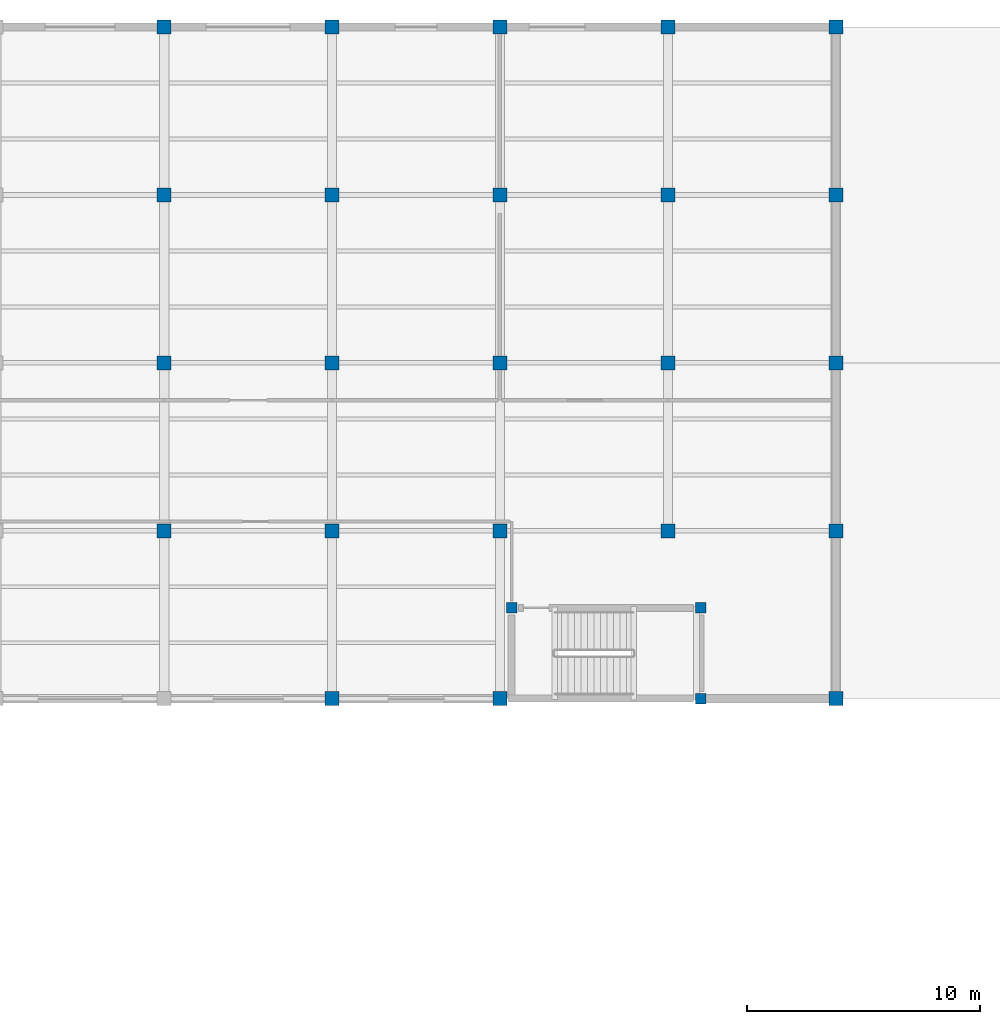
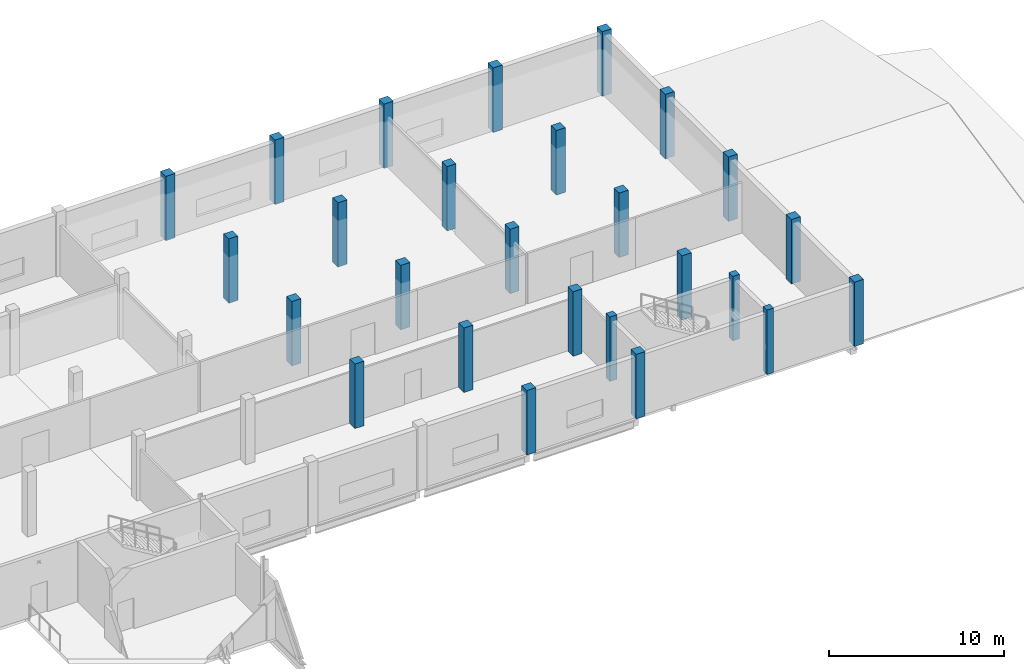
# One storey, part 4 of 76: 26 columns.
"""IFC4 building model written with IfcOpenShell, lengths in metres."""

import ifcopenshell
import ifcopenshell.guid

model = None  # the IFC model being written
_history = None  # IfcOwnerHistory: only IFC2X3 demands one
_inside = {}  # id of a spatial element -> (the spatial element, [elements in it])
_under = {}  # id of a project, library or spatial element -> (it, [spatial elements below it])
_declared = {}  # id of a project -> (the project, [libraries it declares])
_typed = {}  # id of a type object -> (the type object, [elements of that type])
_made_of = {}  # id of a material, layer set ... -> (it, [elements and type objects made of it])


def new_model(schema):
    """Start an empty IFC model of exactly this schema.

    Asked for "IFC4X3", IfcOpenShell would pick the latest addendum, in which some entities
    have other attributes; the version numbers below select the first issue.
    IFC2X3 requires an IfcOwnerHistory on every rooted entity: one is made here for all.
    """
    global model, _history
    if schema == "IFC4X3":
        model = ifcopenshell.file(schema_version=(4, 3, 0, 0))
    else:
        model = ifcopenshell.file(schema=schema)
    _inside.clear()
    _under.clear()
    _declared.clear()
    _typed.clear()
    _made_of.clear()
    _history = None
    if model.schema == "IFC2X3":
        org = make("IfcOrganization", Name="unknown")
        user = make(
            "IfcPersonAndOrganization",
            ThePerson=make("IfcPerson", FamilyName="unknown"),
            TheOrganization=org,
        )
        app = make(
            "IfcApplication",
            ApplicationDeveloper=org,
            Version="unknown",
            ApplicationFullName="unknown",
            ApplicationIdentifier="unknown",
        )
        _history = make(
            "IfcOwnerHistory",
            OwningUser=user,
            OwningApplication=app,
            ChangeAction="ADDED",
            CreationDate=0,
        )
    return model


def make(cls, **values):
    """One entity of the class cls with the attributes given. An attribute that is None is left unset."""
    return model.create_entity(
        cls, **{name: value for name, value in values.items() if value is not None}
    )


def rooted(cls, **values):
    """An entity with a GlobalId (a new one), such as an element, a storey or a relation."""
    return make(cls, GlobalId=ifcopenshell.guid.new(), OwnerHistory=_history, **values)


def si_unit(unit_type, name, prefix=None):
    """IfcSIUnit, for example si_unit("LENGTHUNIT", "METRE", prefix="MILLI")."""
    return make("IfcSIUnit", UnitType=unit_type, Prefix=prefix, Name=name)


def assignment(units):
    """IfcUnitAssignment: the units of a project."""
    return None if units is None else make("IfcUnitAssignment", Units=units)


def point(xyz):
    """IfcCartesianPoint."""
    return None if xyz is None else make("IfcCartesianPoint", Coordinates=xyz)


def direction(xyz):
    """IfcDirection."""
    return None if xyz is None else make("IfcDirection", DirectionRatios=xyz)


def frame(location, z_axis=None, x_axis=None):
    """IfcAxis2Placement3D, a coordinate frame: its origin and axes. An axis left out is left unset."""
    return make(
        "IfcAxis2Placement3D",
        Location=point(location),
        Axis=direction(z_axis),
        RefDirection=direction(x_axis),
    )


def frame_2d(location, x_axis=None):
    """IfcAxis2Placement2D, a coordinate frame in the plane: its origin and x axis."""
    return make(
        "IfcAxis2Placement2D", Location=point(location), RefDirection=direction(x_axis)
    )


def origin():
    """The frame at (0, 0, 0) with its axes left unset."""
    return frame((0.0, 0.0, 0.0))


def origin_2d():
    """The frame at (0, 0) in the plane with its x axis left unset."""
    return frame_2d((0.0, 0.0))


def place(relative_to, where):
    """IfcLocalPlacement: puts the frame where relative to a parent placement (None: the world)."""
    return make(
        "IfcLocalPlacement", PlacementRelTo=relative_to, RelativePlacement=where
    )


def context(
    kind, dimensions, precision=None, world=None, true_north=None, identifier=None
):
    """IfcGeometricRepresentationContext, for example the 3D "Model" context."""
    return make(
        "IfcGeometricRepresentationContext",
        ContextIdentifier=identifier,
        ContextType=kind,
        CoordinateSpaceDimension=dimensions,
        Precision=precision,
        WorldCoordinateSystem=world,
        TrueNorth=true_north,
    )


def subcontext(parent, identifier, kind, view, scale=None):
    """IfcGeometricRepresentationSubContext, for example "Body" below "Model"."""
    return make(
        "IfcGeometricRepresentationSubContext",
        ContextIdentifier=identifier,
        ContextType=kind,
        ParentContext=parent,
        TargetScale=scale,
        TargetView=view,
    )


def project(units=None, contexts=None):
    """IfcProject with its units and contexts."""
    return rooted(
        "IfcProject",
        Name="project",
        RepresentationContexts=contexts,
        UnitsInContext=assignment(units),
    )


def spatial(cls, under=None, at=None, **own):
    """A site, building, storey or space (cls), placed at a placement, below another one or the project."""
    s = rooted(cls, ObjectPlacement=at, **own)
    if under is not None:
        _under.setdefault(under.id(), (under, []))[1].append(s)
    return s


def profile(cls, at=None, kind="AREA", **sizes):
    """A parametric profile (cls). Its sizes go by their IFC names, for example OverallWidth=200.0."""
    return make(cls, ProfileType=kind, Position=at, **sizes)


def rectangle(**sizes):
    """IfcRectangleProfileDef."""
    return profile("IfcRectangleProfileDef", **sizes)


def extrude(swept, where, along, depth):
    """IfcExtrudedAreaSolid: the profile swept, set in the frame where, extruded along a direction by depth."""
    return make(
        "IfcExtrudedAreaSolid",
        SweptArea=swept,
        Position=where,
        ExtrudedDirection=direction(along),
        Depth=depth,
    )


def shape(context_of_items, identifier, shape_type, items):
    """IfcShapeRepresentation: the items that make up one representation, for example the "Body"."""
    return make(
        "IfcShapeRepresentation",
        ContextOfItems=context_of_items,
        RepresentationIdentifier=identifier,
        RepresentationType=shape_type,
        Items=items,
    )


def material(Name=None, Category=None):
    """IfcMaterial."""
    return make("IfcMaterial", Name=Name, Category=Category)


def material_profile(
    of_material, cross_section, Name=None, Category=None, Priority=None
):
    """IfcMaterialProfile: a cross section and its material."""
    return make(
        "IfcMaterialProfile",
        Name=Name,
        Material=of_material,
        Profile=cross_section,
        Priority=Priority,
        Category=Category,
    )


def profile_set(profiles, Name=None, composite=None):
    """IfcMaterialProfileSet."""
    return make(
        "IfcMaterialProfileSet",
        Name=Name,
        MaterialProfiles=profiles,
        CompositeProfile=composite,
    )


def made_of(thing, what):
    """Note that an element or type object is made of a material, layer set ...; save() writes the relation."""
    if what is not None:
        _made_of.setdefault(what.id(), (what, []))[1].append(thing)
    return thing


def type_object(cls, material=None, **own):
    """A type object (cls), such as IfcWallType, which elements share."""
    return made_of(rooted(cls, **own), material)


def element(
    cls,
    number,
    at=None,
    inside=None,
    cuts=None,
    type_object=None,
    material=None,
    context=None,
    identifier="Body",
    shape_type=None,
    held_by="IfcProductDefinitionShape",
    body=None,
    shapes=None,
    **own,
):
    """One element of the class cls, such as IfcWall. Its Tag is "e" and its number.

    at: its placement. inside: the storey or other place that contains it. cuts: it is an
    opening in that element (IfcRelVoidsElement). A single representation is given by context,
    identifier, shape_type and body (its items); several are given by shapes. held_by: the class
    of the entity that holds the representations. save() writes the other relations.
    """
    e = rooted(cls, Tag="e%d" % number, ObjectPlacement=at, **own)
    if body is not None:
        shapes = [shape(context, identifier, shape_type, body)]
    if shapes is not None:
        e.Representation = make(held_by, Representations=shapes)
    if inside is not None:
        _inside.setdefault(inside.id(), (inside, []))[1].append(e)
    if cuts is not None:
        rooted(
            "IfcRelVoidsElement", RelatingBuildingElement=cuts, RelatedOpeningElement=e
        )
    if type_object is not None:
        _typed.setdefault(type_object.id(), (type_object, []))[1].append(e)
    return made_of(e, material)


def aggregate(whole, parts):
    """IfcRelAggregates: a whole, such as a stair, and the parts it consists of."""
    return rooted("IfcRelAggregates", RelatingObject=whole, RelatedObjects=parts)


def save(model, path):
    """Write the relations noted so far, then the file.

    IfcRelAggregates (storeys below a building ...), IfcRelContainedInSpatialStructure (elements
    in a storey), IfcRelDefinesByType, IfcRelAssociatesMaterial and IfcRelDeclares: one each for
    every whole, place, type object, material and project.
    """
    for whole, parts in _under.values():
        aggregate(whole, parts)
    for where, things in _inside.values():
        rooted(
            "IfcRelContainedInSpatialStructure",
            RelatedElements=things,
            RelatingStructure=where,
        )
    for kind, things in _typed.values():
        rooted("IfcRelDefinesByType", RelatedObjects=things, RelatingType=kind)
    for what, things in _made_of.values():
        rooted("IfcRelAssociatesMaterial", RelatedObjects=things, RelatingMaterial=what)
    for by, libraries in _declared.values():
        rooted("IfcRelDeclares", RelatingContext=by, RelatedDefinitions=libraries)
    model.write(path)


model = new_model("IFC4")

# Units and contexts
model_context = context("Model", 3, precision=1e-05, world=origin(), true_north=direction((0.0, 1.0)))
body_context = subcontext(model_context, "Body", "Model", "MODEL_VIEW")
ifc_project = project(units=[si_unit("LENGTHUNIT", "METRE"), si_unit("AREAUNIT", "SQUARE_METRE"), si_unit("VOLUMEUNIT", "CUBIC_METRE"), si_unit("PLANEANGLEUNIT", "RADIAN"), si_unit("MASSUNIT", "GRAM", prefix="KILO"), si_unit("THERMODYNAMICTEMPERATUREUNIT", "KELVIN"), si_unit("POWERUNIT", "WATT")], contexts=[model_context])

# Site, building, storey
site_placement = place(None, origin())
site = spatial("IfcSite", under=ifc_project, at=site_placement, CompositionType="ELEMENT")
building_placement = place(site_placement, origin())
building = spatial("IfcBuilding", under=site, at=building_placement, Name="Kaldorven Railside Theatre", CompositionType="ELEMENT")
storey_placement = place(building_placement, frame((0.0, 0.0, 14.39990234375)))
storey = spatial("IfcBuildingStorey", under=building, at=storey_placement, Name="L03", CompositionType="ELEMENT", Elevation=14.39990234375)

# Columns
ifc_material = material(Name="Concrete C40/50", Category="concrete")
ifc_material_profile_1 = material_profile(ifc_material, rectangle(XDim=0.449951171875, YDim=0.449951171875, at=origin_2d()), Name="RC 450x450")
ifc_profile_set_1 = profile_set([ifc_material_profile_1], Name="Concrete C40/50")
column_type_1 = type_object("IfcColumnType", Name="COL-RC450", PredefinedType="COLUMN", material=ifc_profile_set_1)
for number, where, z_axis, x_axis, name in (
    (1, (160.60009765625, 112.800048828125, 0.0), (0.0, 0.0, 1.0), (1.0, 0.0, 0.0), "Core ST-08 L03 Boundary Column CCR-043"),
    (2, (160.60009765625, 116.699951171875, 0.0), (0.0, 0.0, 1.0), (1.0, 0.0, 0.0), "Core ST-08 L03 Boundary Column CCR-048"),
    (3, (152.5, 116.699951171875, 0.0), (0.0, 0.0, 1.0), (1.0, 0.0, 0.0), "Core ST-08 L03 Boundary Column CCR-053"),
):
    element("IfcColumn", number, at=place(storey_placement, frame(where, z_axis=z_axis, x_axis=x_axis)), inside=storey, type_object=column_type_1, Name=name, PredefinedType="COLUMN", context=body_context, shape_type="SweptSolid", body=[
        extrude(rectangle(XDim=0.449951171875, YDim=0.449951171875, at=origin_2d()), origin(), (0.0, 0.0, 1.0), 4.5),
    ])
ifc_material_profile_2 = material_profile(ifc_material, rectangle(XDim=0.60009765625, YDim=0.60009765625, at=origin_2d()), Name="RC 600x600")
ifc_profile_set_2 = profile_set([ifc_material_profile_2], Name="Concrete C40/50")
column_type_2 = type_object("IfcColumnType", Name="COL-RC600", PredefinedType="COLUMN", material=ifc_profile_set_2)
for number, where, z_axis, x_axis, name in (
    (4, (144.800048828125, 112.800048828125, 0.0), (0.0, 0.0, 1.0), (0.0, 1.0, 0.0), "L03 Column CG-L03-144-112"),
    (5, (152.0, 112.800048828125, 0.0), (0.0, 0.0, 1.0), (1.0, 0.0, 0.0), "L03 Column CG-L03-152-112"),
    (6, (166.39990234375, 112.800048828125, 0.0), (0.0, 0.0, 1.0), (0.0, 1.0, 0.0), "L03 Column CG-L03-166-112"),
    (7, (137.60009765625, 120.0, 0.0), (0.0, 0.0, 1.0), (0.0, 1.0, 0.0), "L03 Column CG-L03-137-120"),
    (8, (144.800048828125, 120.0, 0.0), (0.0, 0.0, 1.0), (1.0, 0.0, 0.0), "L03 Column CG-L03-144-120"),
    (9, (152.0, 120.0, 0.0), (0.0, 0.0, 1.0), (1.0, 0.0, 0.0), "L03 Column CG-L03-152-120"),
    (10, (159.199951171875, 120.0, 0.0), (0.0, 0.0, 1.0), (0.0, 1.0, 0.0), "L03 Column CG-L03-159-120"),
    (11, (166.39990234375, 120.0, 0.0), (0.0, 0.0, 1.0), (1.0, 0.0, 0.0), "L03 Column CG-L03-166-120"),
    (12, (137.60009765625, 127.199951171875, 0.0), (0.0, 0.0, 1.0), (1.0, 0.0, 0.0), "L03 Column CG-L03-137-127"),
    (13, (144.800048828125, 127.199951171875, 0.0), (0.0, 0.0, 1.0), (1.0, 0.0, 0.0), "L03 Column CG-L03-144-127"),
    (14, (152.0, 127.199951171875, 0.0), (0.0, 0.0, 1.0), (0.0, 1.0, 0.0), "L03 Column CG-L03-152-127"),
    (15, (159.199951171875, 127.199951171875, 0.0), (0.0, 0.0, 1.0), (1.0, 0.0, 0.0), "L03 Column CG-L03-159-127"),
    (16, (166.39990234375, 127.199951171875, 0.0), (0.0, 0.0, 1.0), (0.0, 1.0, 0.0), "L03 Column CG-L03-166-127"),
    (17, (137.60009765625, 134.39990234375, 0.0), (0.0, 0.0, 1.0), (1.0, 0.0, 0.0), "L03 Column CG-L03-137-134"),
    (18, (144.800048828125, 134.39990234375, 0.0), (0.0, 0.0, 1.0), (0.0, 1.0, 0.0), "L03 Column CG-L03-144-134"),
    (19, (152.0, 134.39990234375, 0.0), (0.0, 0.0, 1.0), (1.0, 0.0, 0.0), "L03 Column CG-L03-152-134"),
    (20, (159.199951171875, 134.39990234375, 0.0), (0.0, 0.0, 1.0), (0.0, 1.0, 0.0), "L03 Column CG-L03-159-134"),
    (21, (166.39990234375, 134.39990234375, 0.0), (0.0, 0.0, 1.0), (1.0, 0.0, 0.0), "L03 Column CG-L03-166-134"),
    (22, (137.60009765625, 141.60009765625, 0.0), (0.0, 0.0, 1.0), (0.0, 1.0, 0.0), "L03 Column CG-L03-137-141"),
    (23, (144.800048828125, 141.60009765625, 0.0), (0.0, 0.0, 1.0), (1.0, 0.0, 0.0), "L03 Column CG-L03-144-141"),
    (24, (152.0, 141.60009765625, 0.0), (0.0, 0.0, 1.0), (0.0, 1.0, 0.0), "L03 Column CG-L03-152-141"),
    (25, (159.199951171875, 141.60009765625, 0.0), (0.0, 0.0, 1.0), (1.0, 0.0, 0.0), "L03 Column CG-L03-159-141"),
    (26, (166.39990234375, 141.60009765625, 0.0), (0.0, 0.0, 1.0), (1.0, 0.0, 0.0), "L03 Column CG-L03-166-141"),
):
    element("IfcColumn", number, at=place(storey_placement, frame(where, z_axis=z_axis, x_axis=x_axis)), inside=storey, type_object=column_type_2, Name=name, PredefinedType="COLUMN", context=body_context, shape_type="SweptSolid", body=[
        extrude(rectangle(XDim=0.60009765625, YDim=0.60009765625, at=origin_2d()), origin(), (0.0, 0.0, 1.0), 4.5),
    ])

save(model, "model.ifc")
